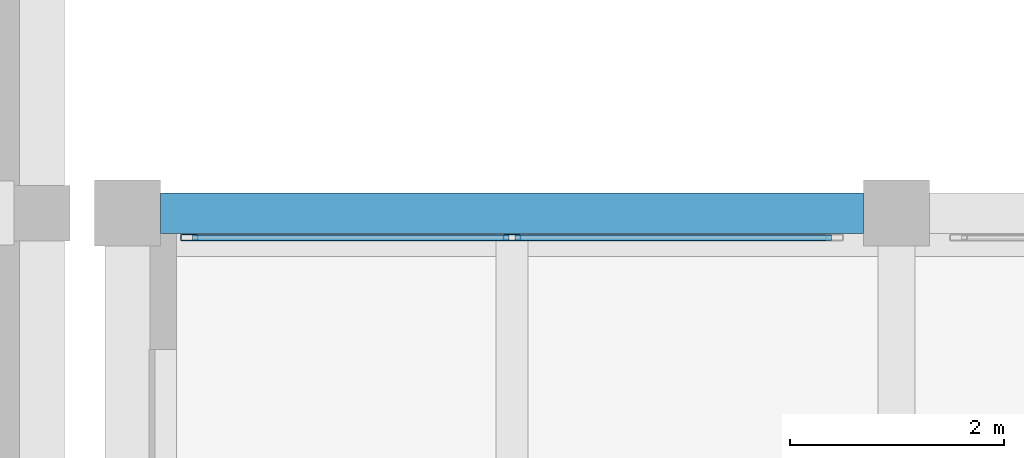
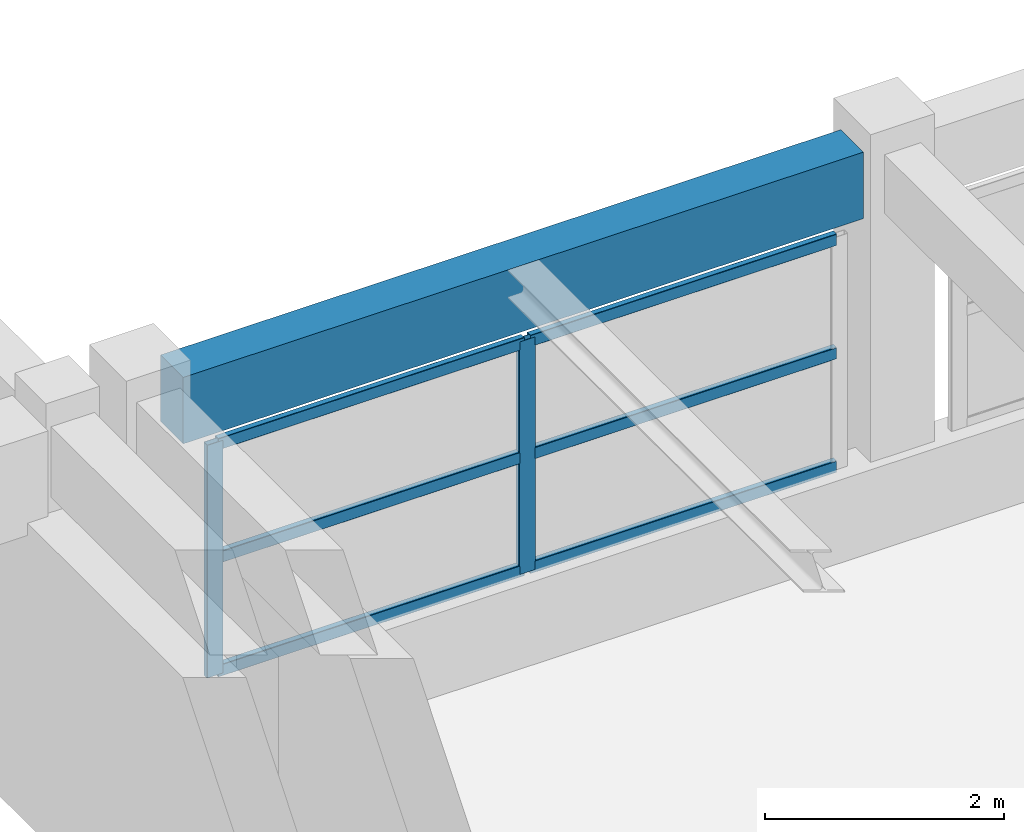
# One storey, part 4 of 67: 8 members, 1 beam, 1 element without a shape of its own.
"""IFC4 building model written with IfcOpenShell, lengths in metres."""

import ifcopenshell
import ifcopenshell.guid

model = None  # the IFC model being written
_history = None  # IfcOwnerHistory: only IFC2X3 demands one
_inside = {}  # id of a spatial element -> (the spatial element, [elements in it])
_under = {}  # id of a project, library or spatial element -> (it, [spatial elements below it])
_declared = {}  # id of a project -> (the project, [libraries it declares])
_typed = {}  # id of a type object -> (the type object, [elements of that type])
_made_of = {}  # id of a material, layer set ... -> (it, [elements and type objects made of it])


def new_model(schema):
    """Start an empty IFC model of exactly this schema.

    Asked for "IFC4X3", IfcOpenShell would pick the latest addendum, in which some entities
    have other attributes; the version numbers below select the first issue.
    IFC2X3 requires an IfcOwnerHistory on every rooted entity: one is made here for all.
    """
    global model, _history
    if schema == "IFC4X3":
        model = ifcopenshell.file(schema_version=(4, 3, 0, 0))
    else:
        model = ifcopenshell.file(schema=schema)
    _inside.clear()
    _under.clear()
    _declared.clear()
    _typed.clear()
    _made_of.clear()
    _history = None
    if model.schema == "IFC2X3":
        org = make("IfcOrganization", Name="unknown")
        user = make(
            "IfcPersonAndOrganization",
            ThePerson=make("IfcPerson", FamilyName="unknown"),
            TheOrganization=org,
        )
        app = make(
            "IfcApplication",
            ApplicationDeveloper=org,
            Version="unknown",
            ApplicationFullName="unknown",
            ApplicationIdentifier="unknown",
        )
        _history = make(
            "IfcOwnerHistory",
            OwningUser=user,
            OwningApplication=app,
            ChangeAction="ADDED",
            CreationDate=0,
        )
    return model


def make(cls, **values):
    """One entity of the class cls with the attributes given. An attribute that is None is left unset."""
    return model.create_entity(
        cls, **{name: value for name, value in values.items() if value is not None}
    )


def rooted(cls, **values):
    """An entity with a GlobalId (a new one), such as an element, a storey or a relation."""
    return make(cls, GlobalId=ifcopenshell.guid.new(), OwnerHistory=_history, **values)


def si_unit(unit_type, name, prefix=None):
    """IfcSIUnit, for example si_unit("LENGTHUNIT", "METRE", prefix="MILLI")."""
    return make("IfcSIUnit", UnitType=unit_type, Prefix=prefix, Name=name)


def assignment(units):
    """IfcUnitAssignment: the units of a project."""
    return None if units is None else make("IfcUnitAssignment", Units=units)


def point(xyz):
    """IfcCartesianPoint."""
    return None if xyz is None else make("IfcCartesianPoint", Coordinates=xyz)


def direction(xyz):
    """IfcDirection."""
    return None if xyz is None else make("IfcDirection", DirectionRatios=xyz)


def frame(location, z_axis=None, x_axis=None):
    """IfcAxis2Placement3D, a coordinate frame: its origin and axes. An axis left out is left unset."""
    return make(
        "IfcAxis2Placement3D",
        Location=point(location),
        Axis=direction(z_axis),
        RefDirection=direction(x_axis),
    )


def frame_2d(location, x_axis=None):
    """IfcAxis2Placement2D, a coordinate frame in the plane: its origin and x axis."""
    return make(
        "IfcAxis2Placement2D", Location=point(location), RefDirection=direction(x_axis)
    )


def origin():
    """The frame at (0, 0, 0) with its axes left unset."""
    return frame((0.0, 0.0, 0.0))


def origin_2d():
    """The frame at (0, 0) in the plane with its x axis left unset."""
    return frame_2d((0.0, 0.0))


def place(relative_to, where):
    """IfcLocalPlacement: puts the frame where relative to a parent placement (None: the world)."""
    return make(
        "IfcLocalPlacement", PlacementRelTo=relative_to, RelativePlacement=where
    )


def context(
    kind, dimensions, precision=None, world=None, true_north=None, identifier=None
):
    """IfcGeometricRepresentationContext, for example the 3D "Model" context."""
    return make(
        "IfcGeometricRepresentationContext",
        ContextIdentifier=identifier,
        ContextType=kind,
        CoordinateSpaceDimension=dimensions,
        Precision=precision,
        WorldCoordinateSystem=world,
        TrueNorth=true_north,
    )


def subcontext(parent, identifier, kind, view, scale=None):
    """IfcGeometricRepresentationSubContext, for example "Body" below "Model"."""
    return make(
        "IfcGeometricRepresentationSubContext",
        ContextIdentifier=identifier,
        ContextType=kind,
        ParentContext=parent,
        TargetScale=scale,
        TargetView=view,
    )


def project(units=None, contexts=None):
    """IfcProject with its units and contexts."""
    return rooted(
        "IfcProject",
        Name="project",
        RepresentationContexts=contexts,
        UnitsInContext=assignment(units),
    )


def spatial(cls, under=None, at=None, **own):
    """A site, building, storey or space (cls), placed at a placement, below another one or the project."""
    s = rooted(cls, ObjectPlacement=at, **own)
    if under is not None:
        _under.setdefault(under.id(), (under, []))[1].append(s)
    return s


def profile(cls, at=None, kind="AREA", **sizes):
    """A parametric profile (cls). Its sizes go by their IFC names, for example OverallWidth=200.0."""
    return make(cls, ProfileType=kind, Position=at, **sizes)


def rectangle(**sizes):
    """IfcRectangleProfileDef."""
    return profile("IfcRectangleProfileDef", **sizes)


def hollow_rectangle(**sizes):
    """IfcRectangleHollowProfileDef."""
    return profile("IfcRectangleHollowProfileDef", **sizes)


def extrude(swept, where, along, depth):
    """IfcExtrudedAreaSolid: the profile swept, set in the frame where, extruded along a direction by depth."""
    return make(
        "IfcExtrudedAreaSolid",
        SweptArea=swept,
        Position=where,
        ExtrudedDirection=direction(along),
        Depth=depth,
    )


def shape(context_of_items, identifier, shape_type, items):
    """IfcShapeRepresentation: the items that make up one representation, for example the "Body"."""
    return make(
        "IfcShapeRepresentation",
        ContextOfItems=context_of_items,
        RepresentationIdentifier=identifier,
        RepresentationType=shape_type,
        Items=items,
    )


def material(Name=None, Category=None):
    """IfcMaterial."""
    return make("IfcMaterial", Name=Name, Category=Category)


def material_profile(
    of_material, cross_section, Name=None, Category=None, Priority=None
):
    """IfcMaterialProfile: a cross section and its material."""
    return make(
        "IfcMaterialProfile",
        Name=Name,
        Material=of_material,
        Profile=cross_section,
        Priority=Priority,
        Category=Category,
    )


def profile_set(profiles, Name=None, composite=None):
    """IfcMaterialProfileSet."""
    return make(
        "IfcMaterialProfileSet",
        Name=Name,
        MaterialProfiles=profiles,
        CompositeProfile=composite,
    )


def made_of(thing, what):
    """Note that an element or type object is made of a material, layer set ...; save() writes the relation."""
    if what is not None:
        _made_of.setdefault(what.id(), (what, []))[1].append(thing)
    return thing


def type_object(cls, material=None, **own):
    """A type object (cls), such as IfcWallType, which elements share."""
    return made_of(rooted(cls, **own), material)


def element(
    cls,
    number,
    at=None,
    inside=None,
    cuts=None,
    type_object=None,
    material=None,
    context=None,
    identifier="Body",
    shape_type=None,
    held_by="IfcProductDefinitionShape",
    body=None,
    shapes=None,
    **own,
):
    """One element of the class cls, such as IfcWall. Its Tag is "e" and its number.

    at: its placement. inside: the storey or other place that contains it. cuts: it is an
    opening in that element (IfcRelVoidsElement). A single representation is given by context,
    identifier, shape_type and body (its items); several are given by shapes. held_by: the class
    of the entity that holds the representations. save() writes the other relations.
    """
    e = rooted(cls, Tag="e%d" % number, ObjectPlacement=at, **own)
    if body is not None:
        shapes = [shape(context, identifier, shape_type, body)]
    if shapes is not None:
        e.Representation = make(held_by, Representations=shapes)
    if inside is not None:
        _inside.setdefault(inside.id(), (inside, []))[1].append(e)
    if cuts is not None:
        rooted(
            "IfcRelVoidsElement", RelatingBuildingElement=cuts, RelatedOpeningElement=e
        )
    if type_object is not None:
        _typed.setdefault(type_object.id(), (type_object, []))[1].append(e)
    return made_of(e, material)


def aggregate(whole, parts):
    """IfcRelAggregates: a whole, such as a stair, and the parts it consists of."""
    return rooted("IfcRelAggregates", RelatingObject=whole, RelatedObjects=parts)


def save(model, path):
    """Write the relations noted so far, then the file.

    IfcRelAggregates (storeys below a building ...), IfcRelContainedInSpatialStructure (elements
    in a storey), IfcRelDefinesByType, IfcRelAssociatesMaterial and IfcRelDeclares: one each for
    every whole, place, type object, material and project.
    """
    for whole, parts in _under.values():
        aggregate(whole, parts)
    for where, things in _inside.values():
        rooted(
            "IfcRelContainedInSpatialStructure",
            RelatedElements=things,
            RelatingStructure=where,
        )
    for kind, things in _typed.values():
        rooted("IfcRelDefinesByType", RelatedObjects=things, RelatingType=kind)
    for what, things in _made_of.values():
        rooted("IfcRelAssociatesMaterial", RelatedObjects=things, RelatingMaterial=what)
    for by, libraries in _declared.values():
        rooted("IfcRelDeclares", RelatingContext=by, RelatedDefinitions=libraries)
    model.write(path)


model = new_model("IFC4")

# Units and contexts
model_context = context("Model", 3, precision=1e-05, world=origin(), true_north=direction((0.0, 1.0)))
body_context = subcontext(model_context, "Body", "Model", "MODEL_VIEW")
ifc_project = project(units=[si_unit("LENGTHUNIT", "METRE"), si_unit("AREAUNIT", "SQUARE_METRE"), si_unit("VOLUMEUNIT", "CUBIC_METRE"), si_unit("PLANEANGLEUNIT", "RADIAN"), si_unit("MASSUNIT", "GRAM", prefix="KILO")], contexts=[model_context])

# Site, building, storey
site_placement = place(None, origin())
site = spatial("IfcSite", under=ifc_project, at=site_placement, CompositionType="ELEMENT")
building_placement = place(site_placement, origin())
building = spatial("IfcBuilding", under=site, at=building_placement, Name="Bramveld Media Centre", CompositionType="ELEMENT")
storey_placement = place(building_placement, frame((0.0, 0.0, 5.39990234375)))
storey = spatial("IfcBuildingStorey", under=building, at=storey_placement, Name="L01", CompositionType="ELEMENT", Elevation=5.39990234375)

# Curtain wall, members
ifc_material_1 = material(Name="Thermally broken anodized bronze aluminium unitized curtain wall with solar-control triple glazing", Category="aluminium")
curtain_wall_type = type_object("IfcCurtainWallType", Name="CW-FACV5-6100x2380", PredefinedType="NOTDEFINED", material=ifc_material_1)
curtain_wall_placement = place(storey_placement, origin())
curtain_wall = element("IfcCurtainWall", 1, at=curtain_wall_placement, inside=storey, type_object=curtain_wall_type, Name="V5 L01 N curtain wall bay 1", PredefinedType="NOTDEFINED")
ifc_material_2 = material(Name="Thermally broken anodized bronze aluminium EN AW-6063 T6 curtain-wall framing", Category="aluminium")
ifc_material_profile_1 = material_profile(ifc_material_2, hollow_rectangle(XDim=0.06005859375, YDim=0.159912109375, WallThickness=0.00390625, InnerFilletRadius=0.00390625, OuterFilletRadius=0.008056640625, at=origin_2d()), Name="AL-MULL 60x160")
ifc_profile_set_1 = profile_set([ifc_material_profile_1], Name="Thermally broken anodized bronze aluminium EN AW-6063 T6 curtain-wall framing")
member_type_1 = type_object("IfcMemberType", Name="CW-MULL-EXT", PredefinedType="MULLION", material=ifc_profile_set_1)
member_1_placement = place(storey_placement, frame((58.97998046875, 21.3701171875, 0.85009765625), z_axis=(0.0, 0.0, 1.0), x_axis=(0.0, 1.0, 0.0)))
member_1 = element("IfcMember", 2, at=member_1_placement, type_object=member_type_1, Name="CW-FA-6123 mullion 1", PredefinedType="MULLION", context=body_context, shape_type="SweptSolid", body=[
    extrude(hollow_rectangle(XDim=0.06005859375, YDim=0.159912109375, WallThickness=0.00390625, InnerFilletRadius=0.00390625, OuterFilletRadius=0.008056640625, at=origin_2d()), origin(), (0.0, 0.0, 1.0), 2.3798828125),
])
member_2_placement = place(storey_placement, frame((62.0, 21.3701171875, 0.85009765625), z_axis=(0.0, 0.0, 1.0), x_axis=(0.0, 1.0, 0.0)))
member_2 = element("IfcMember", 3, at=member_2_placement, type_object=member_type_1, Name="CW-FA-6123 mullion 2", PredefinedType="MULLION", context=body_context, shape_type="SweptSolid", body=[
    extrude(hollow_rectangle(XDim=0.06005859375, YDim=0.159912109375, WallThickness=0.00390625, InnerFilletRadius=0.00390625, OuterFilletRadius=0.008056640625, at=origin_2d()), origin(), (0.0, 0.0, 1.0), 2.3798828125),
])
ifc_material_3 = material(Name="Thermally broken anodized bronze aluminium EN AW-6063 T6 curtain-wall framing", Category="aluminium")
ifc_material_profile_2 = material_profile(ifc_material_3, hollow_rectangle(XDim=0.06005859375, YDim=0.1201171875, WallThickness=0.00341796875, InnerFilletRadius=0.00341796875, OuterFilletRadius=0.007080078125, at=origin_2d()), Name="AL-TRAN 60x120")
ifc_profile_set_2 = profile_set([ifc_material_profile_2], Name="Thermally broken anodized bronze aluminium EN AW-6063 T6 curtain-wall framing")
member_type_2 = type_object("IfcMemberType", Name="CW-TRAN-EXT", PredefinedType="USERDEFINED", material=ifc_profile_set_2)
member_3_placement = place(storey_placement, frame((59.010009765625, 21.3701171875, 0.880126953125), z_axis=(1.0, 0.0, 0.0), x_axis=(0.0, 1.0, 0.0)))
member_3 = element("IfcMember", 4, at=member_3_placement, type_object=member_type_2, Name="CW-FA-6123 transom 1.1", ObjectType="TRANSOM", PredefinedType="USERDEFINED", context=body_context, shape_type="SweptSolid", body=[
    extrude(hollow_rectangle(XDim=0.06005859375, YDim=0.1201171875, WallThickness=0.00341796875, InnerFilletRadius=0.00341796875, OuterFilletRadius=0.007080078125, at=origin_2d()), origin(), (0.0, 0.0, 1.0), 2.9599609375),
])
member_4_placement = place(storey_placement, frame((59.010009765625, 21.3701171875, 2.0400390625), z_axis=(1.0, 0.0, 0.0), x_axis=(0.0, 1.0, 0.0)))
member_4 = element("IfcMember", 5, at=member_4_placement, type_object=member_type_2, Name="CW-FA-6123 transom 1.2", ObjectType="TRANSOM", PredefinedType="USERDEFINED", context=body_context, shape_type="SweptSolid", body=[
    extrude(hollow_rectangle(XDim=0.06005859375, YDim=0.1201171875, WallThickness=0.00341796875, InnerFilletRadius=0.00341796875, OuterFilletRadius=0.007080078125, at=origin_2d()), origin(), (0.0, 0.0, 1.0), 2.9599609375),
])
member_5_placement = place(storey_placement, frame((59.010009765625, 21.3701171875, 3.2001953125), z_axis=(1.0, 0.0, 0.0), x_axis=(0.0, 1.0, 0.0)))
member_5 = element("IfcMember", 6, at=member_5_placement, type_object=member_type_2, Name="CW-FA-6123 transom 1.3", ObjectType="TRANSOM", PredefinedType="USERDEFINED", context=body_context, shape_type="SweptSolid", body=[
    extrude(hollow_rectangle(XDim=0.06005859375, YDim=0.1201171875, WallThickness=0.00341796875, InnerFilletRadius=0.00341796875, OuterFilletRadius=0.007080078125, at=origin_2d()), origin(), (0.0, 0.0, 1.0), 2.9599609375),
])
member_6_placement = place(storey_placement, frame((62.030029296875, 21.3701171875, 0.880126953125), z_axis=(1.0, 0.0, 0.0), x_axis=(0.0, 1.0, 0.0)))
member_6 = element("IfcMember", 7, at=member_6_placement, type_object=member_type_2, Name="CW-FA-6123 transom 2.1", ObjectType="TRANSOM", PredefinedType="USERDEFINED", context=body_context, shape_type="SweptSolid", body=[
    extrude(hollow_rectangle(XDim=0.06005859375, YDim=0.1201171875, WallThickness=0.00341796875, InnerFilletRadius=0.00341796875, OuterFilletRadius=0.007080078125, at=origin_2d()), origin(), (0.0, 0.0, 1.0), 2.9599609375),
])
member_7_placement = place(storey_placement, frame((62.030029296875, 21.3701171875, 2.0400390625), z_axis=(1.0, 0.0, 0.0), x_axis=(0.0, 1.0, 0.0)))
member_7 = element("IfcMember", 8, at=member_7_placement, type_object=member_type_2, Name="CW-FA-6123 transom 2.2", ObjectType="TRANSOM", PredefinedType="USERDEFINED", context=body_context, shape_type="SweptSolid", body=[
    extrude(hollow_rectangle(XDim=0.06005859375, YDim=0.1201171875, WallThickness=0.00341796875, InnerFilletRadius=0.00341796875, OuterFilletRadius=0.007080078125, at=origin_2d()), origin(), (0.0, 0.0, 1.0), 2.9599609375),
])
member_8_placement = place(storey_placement, frame((62.030029296875, 21.3701171875, 3.2001953125), z_axis=(1.0, 0.0, 0.0), x_axis=(0.0, 1.0, 0.0)))
member_8 = element("IfcMember", 9, at=member_8_placement, type_object=member_type_2, Name="CW-FA-6123 transom 2.3", ObjectType="TRANSOM", PredefinedType="USERDEFINED", context=body_context, shape_type="SweptSolid", body=[
    extrude(hollow_rectangle(XDim=0.06005859375, YDim=0.1201171875, WallThickness=0.00341796875, InnerFilletRadius=0.00341796875, OuterFilletRadius=0.007080078125, at=origin_2d()), origin(), (0.0, 0.0, 1.0), 2.9599609375),
])
aggregate(curtain_wall, [member_1, member_2, member_3, member_4, member_5, member_6, member_7, member_8])

# Beam
ifc_material_4 = material(Name="Concrete C40/50", Category="concrete")
ifc_material_profile_3 = material_profile(ifc_material_4, rectangle(XDim=0.3798828125, YDim=0.679931640625, at=origin_2d()), Name="RC 380x680")
ifc_profile_set_3 = profile_set([ifc_material_profile_3], Name="Concrete C40/50")
beam_type = type_object("IfcBeamType", Name="SPANDREL-EXT-RC-380x680", PredefinedType="SPANDREL", material=ifc_profile_set_3)
beam_placement = place(storey_placement, frame((58.7099609375, 21.60009765625, 3.610107421875), z_axis=(1.0, 0.0, 0.0), x_axis=(0.0, 1.0, 0.0)))
element("IfcBeam", 10, at=beam_placement, inside=storey, type_object=beam_type, Name="V5 L01 girder X-734", PredefinedType="SPANDREL", context=body_context, shape_type="SweptSolid", body=[
    extrude(rectangle(XDim=0.3798828125, YDim=0.679931640625, at=origin_2d()), origin(), (0.0, 0.0, 1.0), 6.580078125),
])

save(model, "model.ifc")
